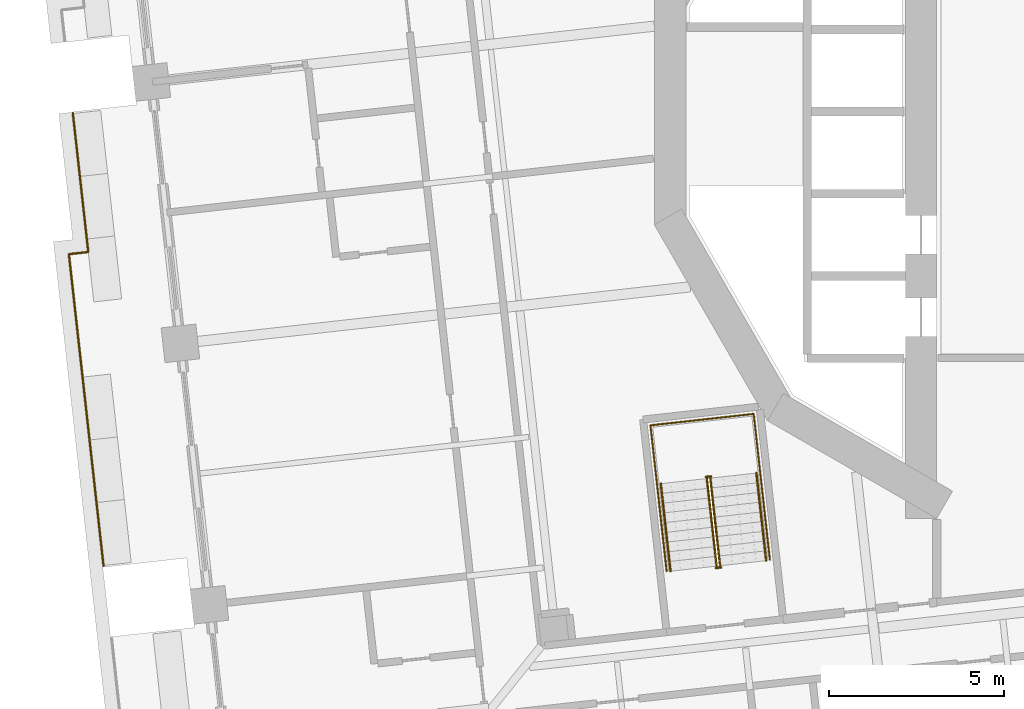
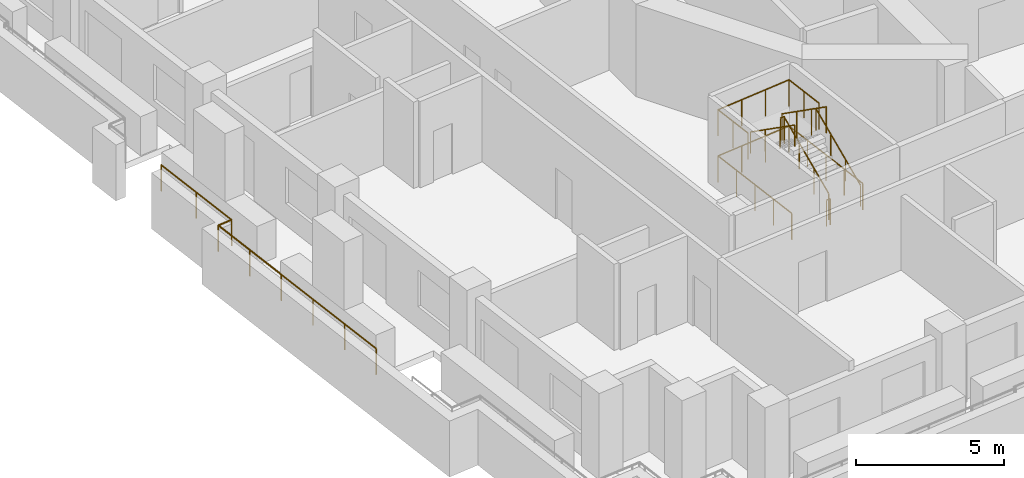
# One storey, part 13 of 19: 8 railings.
"""IFC4 building model written with IfcOpenShell, lengths in metres."""

import ifcopenshell
import ifcopenshell.guid

model = None  # the IFC model being written
_history = None  # IfcOwnerHistory: only IFC2X3 demands one
_inside = {}  # id of a spatial element -> (the spatial element, [elements in it])
_under = {}  # id of a project, library or spatial element -> (it, [spatial elements below it])
_declared = {}  # id of a project -> (the project, [libraries it declares])
_typed = {}  # id of a type object -> (the type object, [elements of that type])
_made_of = {}  # id of a material, layer set ... -> (it, [elements and type objects made of it])


def new_model(schema):
    """Start an empty IFC model of exactly this schema.

    Asked for "IFC4X3", IfcOpenShell would pick the latest addendum, in which some entities
    have other attributes; the version numbers below select the first issue.
    IFC2X3 requires an IfcOwnerHistory on every rooted entity: one is made here for all.
    """
    global model, _history
    if schema == "IFC4X3":
        model = ifcopenshell.file(schema_version=(4, 3, 0, 0))
    else:
        model = ifcopenshell.file(schema=schema)
    _inside.clear()
    _under.clear()
    _declared.clear()
    _typed.clear()
    _made_of.clear()
    _history = None
    if model.schema == "IFC2X3":
        org = make("IfcOrganization", Name="unknown")
        user = make(
            "IfcPersonAndOrganization",
            ThePerson=make("IfcPerson", FamilyName="unknown"),
            TheOrganization=org,
        )
        app = make(
            "IfcApplication",
            ApplicationDeveloper=org,
            Version="unknown",
            ApplicationFullName="unknown",
            ApplicationIdentifier="unknown",
        )
        _history = make(
            "IfcOwnerHistory",
            OwningUser=user,
            OwningApplication=app,
            ChangeAction="ADDED",
            CreationDate=0,
        )
    return model


def make(cls, **values):
    """One entity of the class cls with the attributes given. An attribute that is None is left unset."""
    return model.create_entity(
        cls, **{name: value for name, value in values.items() if value is not None}
    )


def rooted(cls, **values):
    """An entity with a GlobalId (a new one), such as an element, a storey or a relation."""
    return make(cls, GlobalId=ifcopenshell.guid.new(), OwnerHistory=_history, **values)


def si_unit(unit_type, name, prefix=None):
    """IfcSIUnit, for example si_unit("LENGTHUNIT", "METRE", prefix="MILLI")."""
    return make("IfcSIUnit", UnitType=unit_type, Prefix=prefix, Name=name)


def assignment(units):
    """IfcUnitAssignment: the units of a project."""
    return None if units is None else make("IfcUnitAssignment", Units=units)


def point(xyz):
    """IfcCartesianPoint."""
    return None if xyz is None else make("IfcCartesianPoint", Coordinates=xyz)


def direction(xyz):
    """IfcDirection."""
    return None if xyz is None else make("IfcDirection", DirectionRatios=xyz)


def frame(location, z_axis=None, x_axis=None):
    """IfcAxis2Placement3D, a coordinate frame: its origin and axes. An axis left out is left unset."""
    return make(
        "IfcAxis2Placement3D",
        Location=point(location),
        Axis=direction(z_axis),
        RefDirection=direction(x_axis),
    )


def frame_2d(location, x_axis=None):
    """IfcAxis2Placement2D, a coordinate frame in the plane: its origin and x axis."""
    return make(
        "IfcAxis2Placement2D", Location=point(location), RefDirection=direction(x_axis)
    )


def origin():
    """The frame at (0, 0, 0) with its axes left unset."""
    return frame((0.0, 0.0, 0.0))


def origin_2d():
    """The frame at (0, 0) in the plane with its x axis left unset."""
    return frame_2d((0.0, 0.0))


def place(relative_to, where):
    """IfcLocalPlacement: puts the frame where relative to a parent placement (None: the world)."""
    return make(
        "IfcLocalPlacement", PlacementRelTo=relative_to, RelativePlacement=where
    )


def context(
    kind, dimensions, precision=None, world=None, true_north=None, identifier=None
):
    """IfcGeometricRepresentationContext, for example the 3D "Model" context."""
    return make(
        "IfcGeometricRepresentationContext",
        ContextIdentifier=identifier,
        ContextType=kind,
        CoordinateSpaceDimension=dimensions,
        Precision=precision,
        WorldCoordinateSystem=world,
        TrueNorth=true_north,
    )


def subcontext(parent, identifier, kind, view, scale=None):
    """IfcGeometricRepresentationSubContext, for example "Body" below "Model"."""
    return make(
        "IfcGeometricRepresentationSubContext",
        ContextIdentifier=identifier,
        ContextType=kind,
        ParentContext=parent,
        TargetScale=scale,
        TargetView=view,
    )


def project(units=None, contexts=None):
    """IfcProject with its units and contexts."""
    return rooted(
        "IfcProject",
        Name="project",
        RepresentationContexts=contexts,
        UnitsInContext=assignment(units),
    )


def spatial(cls, under=None, at=None, **own):
    """A site, building, storey or space (cls), placed at a placement, below another one or the project."""
    s = rooted(cls, ObjectPlacement=at, **own)
    if under is not None:
        _under.setdefault(under.id(), (under, []))[1].append(s)
    return s


def profile(cls, at=None, kind="AREA", **sizes):
    """A parametric profile (cls). Its sizes go by their IFC names, for example OverallWidth=200.0."""
    return make(cls, ProfileType=kind, Position=at, **sizes)


def circle(**sizes):
    """IfcCircleProfileDef."""
    return profile("IfcCircleProfileDef", **sizes)


def extrude(swept, where, along, depth):
    """IfcExtrudedAreaSolid: the profile swept, set in the frame where, extruded along a direction by depth."""
    return make(
        "IfcExtrudedAreaSolid",
        SweptArea=swept,
        Position=where,
        ExtrudedDirection=direction(along),
        Depth=depth,
    )


def shape(context_of_items, identifier, shape_type, items):
    """IfcShapeRepresentation: the items that make up one representation, for example the "Body"."""
    return make(
        "IfcShapeRepresentation",
        ContextOfItems=context_of_items,
        RepresentationIdentifier=identifier,
        RepresentationType=shape_type,
        Items=items,
    )


def material(Name=None, Category=None):
    """IfcMaterial."""
    return make("IfcMaterial", Name=Name, Category=Category)


def made_of(thing, what):
    """Note that an element or type object is made of a material, layer set ...; save() writes the relation."""
    if what is not None:
        _made_of.setdefault(what.id(), (what, []))[1].append(thing)
    return thing


def type_object(cls, material=None, **own):
    """A type object (cls), such as IfcWallType, which elements share."""
    return made_of(rooted(cls, **own), material)


def element(
    cls,
    number,
    at=None,
    inside=None,
    cuts=None,
    type_object=None,
    material=None,
    context=None,
    identifier="Body",
    shape_type=None,
    held_by="IfcProductDefinitionShape",
    body=None,
    shapes=None,
    **own,
):
    """One element of the class cls, such as IfcWall. Its Tag is "e" and its number.

    at: its placement. inside: the storey or other place that contains it. cuts: it is an
    opening in that element (IfcRelVoidsElement). A single representation is given by context,
    identifier, shape_type and body (its items); several are given by shapes. held_by: the class
    of the entity that holds the representations. save() writes the other relations.
    """
    e = rooted(cls, Tag="e%d" % number, ObjectPlacement=at, **own)
    if body is not None:
        shapes = [shape(context, identifier, shape_type, body)]
    if shapes is not None:
        e.Representation = make(held_by, Representations=shapes)
    if inside is not None:
        _inside.setdefault(inside.id(), (inside, []))[1].append(e)
    if cuts is not None:
        rooted(
            "IfcRelVoidsElement", RelatingBuildingElement=cuts, RelatedOpeningElement=e
        )
    if type_object is not None:
        _typed.setdefault(type_object.id(), (type_object, []))[1].append(e)
    return made_of(e, material)


def aggregate(whole, parts):
    """IfcRelAggregates: a whole, such as a stair, and the parts it consists of."""
    return rooted("IfcRelAggregates", RelatingObject=whole, RelatedObjects=parts)


def save(model, path):
    """Write the relations noted so far, then the file.

    IfcRelAggregates (storeys below a building ...), IfcRelContainedInSpatialStructure (elements
    in a storey), IfcRelDefinesByType, IfcRelAssociatesMaterial and IfcRelDeclares: one each for
    every whole, place, type object, material and project.
    """
    for whole, parts in _under.values():
        aggregate(whole, parts)
    for where, things in _inside.values():
        rooted(
            "IfcRelContainedInSpatialStructure",
            RelatedElements=things,
            RelatingStructure=where,
        )
    for kind, things in _typed.values():
        rooted("IfcRelDefinesByType", RelatedObjects=things, RelatingType=kind)
    for what, things in _made_of.values():
        rooted("IfcRelAssociatesMaterial", RelatedObjects=things, RelatingMaterial=what)
    for by, libraries in _declared.values():
        rooted("IfcRelDeclares", RelatingContext=by, RelatedDefinitions=libraries)
    model.write(path)


model = new_model("IFC4")

# Units and contexts
model_context = context("Model", 3, precision=1e-05, world=origin(), true_north=direction((0.0, 1.0)))
body_context = subcontext(model_context, "Body", "Model", "MODEL_VIEW")
ifc_project = project(units=[si_unit("LENGTHUNIT", "METRE"), si_unit("AREAUNIT", "SQUARE_METRE"), si_unit("VOLUMEUNIT", "CUBIC_METRE"), si_unit("PLANEANGLEUNIT", "RADIAN"), si_unit("MASSUNIT", "GRAM", prefix="KILO")], contexts=[model_context])

# Site, building, storey
site_placement = place(None, origin())
site = spatial("IfcSite", under=ifc_project, at=site_placement, CompositionType="ELEMENT")
building_placement = place(site_placement, origin())
building = spatial("IfcBuilding", under=site, at=building_placement, Name="Cantera Rosa Tower", CompositionType="ELEMENT")
storey_placement = place(building_placement, frame((0.0, 0.0, 53.89990234375)))
storey = spatial("IfcBuildingStorey", under=building, at=storey_placement, Name="L10", CompositionType="ELEMENT", Elevation=53.89990234375)

# Railings
ifc_material_1 = material(Name="Stainless steel and laminated glass", Category="steel")
railing_type_1 = type_object("IfcRailingType", Name="GUARD 1100", PredefinedType="BALUSTRADE", material=ifc_material_1)
railing_1_placement = place(storey_placement, frame((-27.823486328125, -12.99853515625, 0.0)))
element("IfcRailing", 1, at=railing_1_placement, inside=storey, type_object=railing_type_1, Name="GUARD L10-3", PredefinedType="BALUSTRADE", context=body_context, shape_type="SweptSolid", body=[
    extrude(circle(Radius=0.030029296875, at=origin_2d()), frame((0.0, 0.0, 1.070068359375), z_axis=(-0.11030317772, 0.993897987212, 0.0), x_axis=(-0.993897987212, -0.11030317772, 0.0)), (0.0, 0.0, 1.0), 8.977294921875),
    extrude(circle(Radius=0.030029296875, at=origin_2d()), frame((-0.990234375, 8.922607421875, 1.070068359375), z_axis=(0.993873032391, 0.110527804132, 0.0), x_axis=(-0.110527804132, 0.993873032391, 0.0)), (0.0, 0.0, 1.0), 0.556640625),
    extrude(circle(Radius=0.030029296875, at=origin_2d()), frame((-0.43701171875, 8.984130859375, 1.070068359375), z_axis=(-0.110344492621, 0.9938934012, 0.0), x_axis=(-0.9938934012, -0.110344492621, 0.0)), (0.0, 0.0, 1.0), 4.00244140625),
    extrude(circle(Radius=0.02490234375, at=origin_2d()), origin(), (0.0, 0.0, 1.0), 1.0400390625),
    extrude(circle(Radius=0.02490234375, at=origin_2d()), frame((-0.197998046875, 1.784423828125, 0.0)), (0.0, 0.0, 1.0), 1.0400390625),
    extrude(circle(Radius=0.02490234375, at=origin_2d()), frame((-0.39599609375, 3.569091796875, 0.0)), (0.0, 0.0, 1.0), 1.0400390625),
    extrude(circle(Radius=0.02490234375, at=origin_2d()), frame((-0.59423828125, 5.353515625, 0.0)), (0.0, 0.0, 1.0), 1.0400390625),
    extrude(circle(Radius=0.02490234375, at=origin_2d()), frame((-0.792236328125, 7.13818359375, 0.0)), (0.0, 0.0, 1.0), 1.0400390625),
    extrude(circle(Radius=0.02490234375, at=origin_2d()), frame((-0.990234375, 8.922607421875, 0.0)), (0.0, 0.0, 1.0), 1.0400390625),
    extrude(circle(Radius=0.02490234375, at=origin_2d()), frame((-0.43701171875, 8.984130859375, 0.0)), (0.0, 0.0, 1.0), 1.0400390625),
    extrude(circle(Radius=0.02490234375, at=origin_2d()), frame((-0.65771484375, 10.97314453125, 0.0)), (0.0, 0.0, 1.0), 1.0400390625),
    extrude(circle(Radius=0.02490234375, at=origin_2d()), frame((-0.878662109375, 12.962158203125, 0.0)), (0.0, 0.0, 1.0), 1.0400390625),
])
ifc_material_2 = material(Name="Steel S355J2 (EN 10025-2)", Category="steel")
railing_type_2 = type_object("IfcRailingType", Name="STAIR GUARD 1100", PredefinedType="GUARDRAIL", material=ifc_material_2)
railing_2_placement = place(storey_placement, frame((-10.19677734375, -12.986083984375, 0.190185546875)))
element("IfcRailing", 2, at=railing_2_placement, inside=storey, type_object=railing_type_2, Name="L10 ST-13 stair guard 1", PredefinedType="GUARDRAIL", context=body_context, shape_type="SweptSolid", body=[
    extrude(circle(Radius=0.02392578125, at=origin_2d()), frame((0.0, 0.0, 1.076171875), z_axis=(-0.091310000343, 0.822431337597, 0.561488360321), x_axis=(-0.993893182753, -0.110346460196, 0.0)), (0.0, 0.0, 1.0), 3.04541015625),
    extrude(circle(Radius=0.02392578125, at=origin_2d()), frame((-0.278076171875, 2.504638671875, 2.7861328125), z_axis=(0.360141847183, 0.932897555956, 0.0), x_axis=(-0.932897555956, 0.360141847183, 0.0)), (0.0, 0.0, 1.0), 0.05615234375),
    extrude(circle(Radius=0.02392578125, at=origin_2d()), frame((-0.2578125, 2.55712890625, 2.7861328125), z_axis=(-0.994022053584, -0.109179471459, 0.0), x_axis=(0.109179471459, -0.994022053584, 0.0)), (0.0, 0.0, 1.0), 0.14990234375),
    extrude(circle(Radius=0.02099609375, at=origin_2d()), origin(), (0.0, 0.0, 1.0), 1.052001953125),
    extrude(circle(Radius=0.02099609375, at=origin_2d()), frame((-0.0927734375, 0.8349609375, 0.570068359375)), (0.0, 0.0, 1.0), 1.052001953125),
    extrude(circle(Radius=0.02099609375, at=origin_2d()), frame((-0.185302734375, 1.669677734375, 1.139892578125)), (0.0, 0.0, 1.0), 1.052001953125),
    extrude(circle(Radius=0.02099609375, at=origin_2d()), frame((-0.278076171875, 2.504638671875, 1.7099609375)), (0.0, 0.0, 1.0), 1.052001953125),
    extrude(circle(Radius=0.02099609375, at=origin_2d()), frame((-0.2578125, 2.55712890625, 1.7099609375)), (0.0, 0.0, 1.0), 1.052001953125),
    extrude(circle(Radius=0.02099609375, at=origin_2d()), frame((-0.40673828125, 2.540771484375, 1.7099609375)), (0.0, 0.0, 1.0), 1.052001953125),
])
railing_3_placement = place(storey_placement, frame((-10.572265625, -10.4921875, 2.090087890625)))
element("IfcRailing", 3, at=railing_3_placement, inside=storey, type_object=railing_type_2, Name="L10 ST-13 stair guard 2", PredefinedType="GUARDRAIL", context=body_context, shape_type="SweptSolid", body=[
    extrude(circle(Radius=0.02392578125, at=origin_2d()), frame((0.0, 0.0, 1.076171875), z_axis=(0.091310000343, -0.822431337597, 0.561488360321), x_axis=(0.993893182753, 0.110346460196, 0.0)), (0.0, 0.0, 1.0), 3.04541015625),
    extrude(circle(Radius=0.02099609375, at=origin_2d()), origin(), (0.0, 0.0, 1.0), 1.052001953125),
    extrude(circle(Radius=0.02099609375, at=origin_2d()), frame((0.0927734375, -0.8349609375, 0.570068359375)), (0.0, 0.0, 1.0), 1.052001953125),
    extrude(circle(Radius=0.02099609375, at=origin_2d()), frame((0.185302734375, -1.669677734375, 1.139892578125)), (0.0, 0.0, 1.0), 1.052001953125),
    extrude(circle(Radius=0.02099609375, at=origin_2d()), frame((0.278076171875, -2.504638671875, 1.7099609375)), (0.0, 0.0, 1.0), 1.052001953125),
])
railing_4_placement = place(storey_placement, frame((-10.16552734375, -13.032958984375, 0.0)))
element("IfcRailing", 4, at=railing_4_placement, inside=storey, type_object=railing_type_2, Name="L10 ST-13 stair guard 3", PredefinedType="GUARDRAIL", context=body_context, shape_type="SweptSolid", body=[
    extrude(circle(Radius=0.02392578125, at=origin_2d()), frame((0.0, 0.0, 1.076171875), z_axis=(-0.994041430915, -0.1090029065, 0.0), x_axis=(0.1090029065, -0.994041430915, 0.0)), (0.0, 0.0, 1.0), 0.150146484375),
    extrude(circle(Radius=0.02099609375, at=origin_2d()), origin(), (0.0, 0.0, 1.0), 1.052001953125),
    extrude(circle(Radius=0.02099609375, at=origin_2d()), frame((-0.149169921875, -0.016357421875, 0.0)), (0.0, 0.0, 1.0), 1.052001953125),
])
railing_5_placement = place(storey_placement, frame((-8.77099609375, -12.815673828125, 0.0)))
element("IfcRailing", 5, at=railing_5_placement, inside=storey, type_object=railing_type_2, Name="L10 ST-13 stair guard 4", PredefinedType="GUARDRAIL", context=body_context, shape_type="SweptSolid", body=[
    extrude(circle(Radius=0.02392578125, at=origin_2d()), frame((0.0, 0.0, 1.076171875), z_axis=(-0.110323013767, 0.9938957856, 0.0), x_axis=(-0.9938957856, -0.110323013767, 0.0)), (0.0, 0.0, 1.0), 4.197998046875),
    extrude(circle(Radius=0.02392578125, at=origin_2d()), frame((-0.463134765625, 4.17236328125, 1.076171875), z_axis=(-0.993896759678, -0.110314237986, 0.0), x_axis=(0.110314237986, -0.993896759678, 0.0)), (0.0, 0.0, 1.0), 2.969970703125),
    extrude(circle(Radius=0.02392578125, at=origin_2d()), frame((-3.4150390625, 3.8447265625, 1.076171875), z_axis=(0.110323013767, -0.9938957856, 0.0), x_axis=(0.9938957856, 0.110323013767, 0.0)), (0.0, 0.0, 1.0), 4.197998046875),
    extrude(circle(Radius=0.02099609375, at=origin_2d()), origin(), (0.0, 0.0, 1.0), 1.052001953125),
    extrude(circle(Radius=0.02099609375, at=origin_2d()), frame((-0.11572265625, 1.04296875, 0.0)), (0.0, 0.0, 1.0), 1.052001953125),
    extrude(circle(Radius=0.02099609375, at=origin_2d()), frame((-0.2314453125, 2.086181640625, 0.0)), (0.0, 0.0, 1.0), 1.052001953125),
    extrude(circle(Radius=0.02099609375, at=origin_2d()), frame((-0.347412109375, 3.12939453125, 0.0)), (0.0, 0.0, 1.0), 1.052001953125),
    extrude(circle(Radius=0.02099609375, at=origin_2d()), frame((-0.463134765625, 4.17236328125, 0.0)), (0.0, 0.0, 1.0), 1.052001953125),
    extrude(circle(Radius=0.02099609375, at=origin_2d()), frame((-1.447021484375, 4.063232421875, 0.0)), (0.0, 0.0, 1.0), 1.052001953125),
    extrude(circle(Radius=0.02099609375, at=origin_2d()), frame((-2.43115234375, 3.953857421875, 0.0)), (0.0, 0.0, 1.0), 1.052001953125),
    extrude(circle(Radius=0.02099609375, at=origin_2d()), frame((-3.4150390625, 3.8447265625, 0.0)), (0.0, 0.0, 1.0), 1.052001953125),
    extrude(circle(Radius=0.02099609375, at=origin_2d()), frame((-3.29931640625, 2.8017578125, 0.0)), (0.0, 0.0, 1.0), 1.052001953125),
    extrude(circle(Radius=0.02099609375, at=origin_2d()), frame((-3.18359375, 1.758544921875, 0.0)), (0.0, 0.0, 1.0), 1.052001953125),
    extrude(circle(Radius=0.02099609375, at=origin_2d()), frame((-3.067626953125, 0.71533203125, 0.0)), (0.0, 0.0, 1.0), 1.052001953125),
    extrude(circle(Radius=0.02099609375, at=origin_2d()), frame((-2.951904296875, -0.32763671875, 0.0)), (0.0, 0.0, 1.0), 1.052001953125),
])
railing_6_placement = place(storey_placement, frame((-9.04638671875, -10.3349609375, 1.900146484375)))
element("IfcRailing", 6, at=railing_6_placement, inside=storey, type_object=railing_type_2, Name="L10 ST-13 stair guard 5", PredefinedType="GUARDRAIL", context=body_context, shape_type="SweptSolid", body=[
    extrude(circle(Radius=0.02392578125, at=origin_2d()), frame((0.0, 0.0, 1.076171875), z_axis=(-0.110305577623, 0.993897720867, 0.0), x_axis=(-0.993897720867, -0.110305577623, 0.0)), (0.0, 0.0, 1.0), 1.7021484375),
    extrude(circle(Radius=0.02392578125, at=origin_2d()), frame((-0.187744140625, 1.691650390625, 1.076171875), z_axis=(-0.993896759678, -0.110314237986, 0.0), x_axis=(0.110314237986, -0.993896759678, 0.0)), (0.0, 0.0, 1.0), 2.969970703125),
    extrude(circle(Radius=0.02392578125, at=origin_2d()), frame((-3.1396484375, 1.364013671875, 1.076171875), z_axis=(0.110447269257, -0.993881985305, 0.0), x_axis=(0.993881985305, 0.110447269257, 0.0)), (0.0, 0.0, 1.0), 1.7021484375),
    extrude(circle(Radius=0.02099609375, at=origin_2d()), origin(), (0.0, 0.0, 1.0), 1.052001953125),
    extrude(circle(Radius=0.02099609375, at=origin_2d()), frame((-0.09375, 0.845703125, 0.0)), (0.0, 0.0, 1.0), 1.052001953125),
    extrude(circle(Radius=0.02099609375, at=origin_2d()), frame((-0.187744140625, 1.691650390625, 0.0)), (0.0, 0.0, 1.0), 1.052001953125),
    extrude(circle(Radius=0.02099609375, at=origin_2d()), frame((-1.171630859375, 1.58251953125, 0.0)), (0.0, 0.0, 1.0), 1.052001953125),
    extrude(circle(Radius=0.02099609375, at=origin_2d()), frame((-2.15576171875, 1.47314453125, 0.0)), (0.0, 0.0, 1.0), 1.052001953125),
    extrude(circle(Radius=0.02099609375, at=origin_2d()), frame((-3.1396484375, 1.364013671875, 0.0)), (0.0, 0.0, 1.0), 1.052001953125),
    extrude(circle(Radius=0.02099609375, at=origin_2d()), frame((-3.045654296875, 0.51806640625, 0.0)), (0.0, 0.0, 1.0), 1.052001953125),
    extrude(circle(Radius=0.02099609375, at=origin_2d()), frame((-2.95166015625, -0.32763671875, 0.0)), (0.0, 0.0, 1.0), 1.052001953125),
])
ifc_material_3 = material(Name="Steel S355J2 (EN 10025-2)", Category="steel")
railing_type_3 = type_object("IfcRailingType", Name="STAIR HANDRAIL 900", PredefinedType="HANDRAIL", material=ifc_material_3)
railing_7_placement = place(storey_placement, frame((-8.87890625, -12.83984375, 0.190185546875)))
element("IfcRailing", 7, at=railing_7_placement, inside=storey, type_object=railing_type_3, Name="L10 ST-13 stair handrail 1", PredefinedType="HANDRAIL", context=body_context, shape_type="SweptSolid", body=[
    extrude(circle(Radius=0.02392578125, at=origin_2d()), frame((0.0, 0.0, 0.8759765625), z_axis=(-0.091310000343, 0.822431337597, 0.561488360321), x_axis=(-0.993893182753, -0.110346460196, 0.0)), (0.0, 0.0, 1.0), 3.04541015625),
    extrude(circle(Radius=0.02099609375, at=origin_2d()), origin(), (0.0, 0.0, 1.0), 0.851806640625),
    extrude(circle(Radius=0.02099609375, at=origin_2d()), frame((-0.0927734375, 0.8349609375, 0.570068359375)), (0.0, 0.0, 1.0), 0.851806640625),
    extrude(circle(Radius=0.02099609375, at=origin_2d()), frame((-0.185302734375, 1.669677734375, 1.139892578125)), (0.0, 0.0, 1.0), 0.851806640625),
    extrude(circle(Radius=0.02099609375, at=origin_2d()), frame((-0.278076171875, 2.504638671875, 1.7099609375)), (0.0, 0.0, 1.0), 0.851806640625),
])
railing_8_placement = place(storey_placement, frame((-11.89013671875, -10.638427734375, 2.090087890625)))
element("IfcRailing", 8, at=railing_8_placement, inside=storey, type_object=railing_type_3, Name="L10 ST-13 stair handrail 2", PredefinedType="HANDRAIL", context=body_context, shape_type="SweptSolid", body=[
    extrude(circle(Radius=0.02392578125, at=origin_2d()), frame((0.0, 0.0, 0.8759765625), z_axis=(0.091310000343, -0.822431337597, 0.561488360321), x_axis=(0.993893182753, 0.110346460196, 0.0)), (0.0, 0.0, 1.0), 3.04541015625),
    extrude(circle(Radius=0.02099609375, at=origin_2d()), origin(), (0.0, 0.0, 1.0), 0.851806640625),
    extrude(circle(Radius=0.02099609375, at=origin_2d()), frame((0.0927734375, -0.8349609375, 0.570068359375)), (0.0, 0.0, 1.0), 0.851806640625),
    extrude(circle(Radius=0.02099609375, at=origin_2d()), frame((0.185302734375, -1.669677734375, 1.139892578125)), (0.0, 0.0, 1.0), 0.851806640625),
    extrude(circle(Radius=0.02099609375, at=origin_2d()), frame((0.278076171875, -2.504638671875, 1.7099609375)), (0.0, 0.0, 1.0), 0.851806640625),
])

save(model, "model.ifc")
